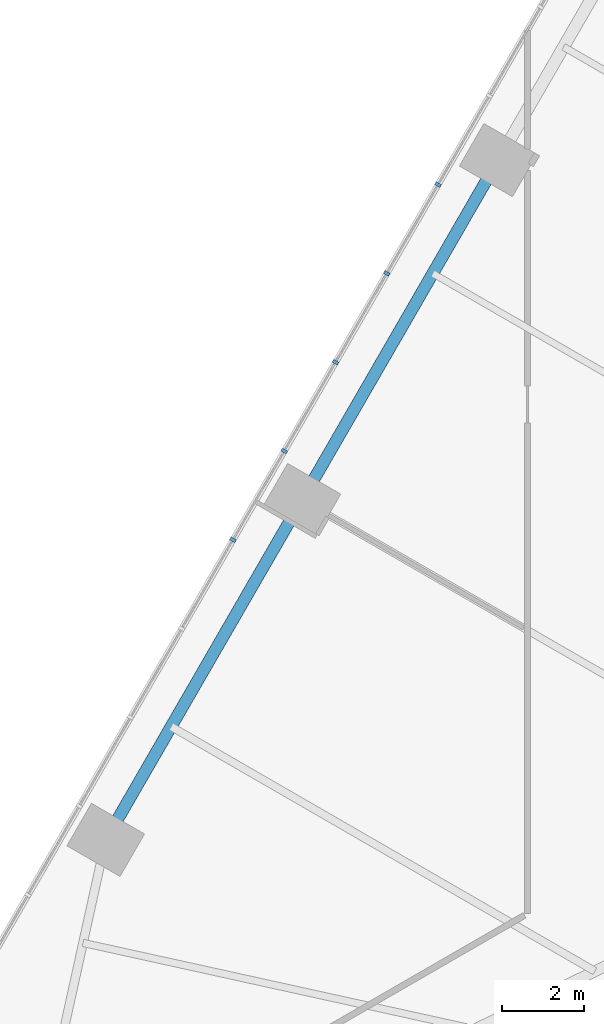
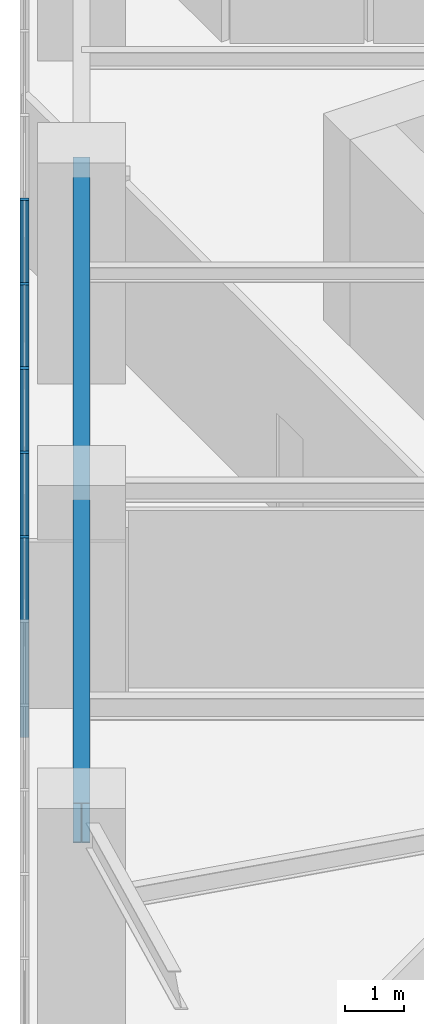
# One storey, part 3 of 23: 5 members, 1 beam, 1 element without a shape of its own.
"""IFC4 building model written with IfcOpenShell, lengths in metres."""

from ifc_helpers import new_model, si_unit, direction, frame, origin, origin_2d, place, context, subcontext, project, spatial, rectangle, i_section, extrude, material, layer, layer_set, material_profile, profile_set, type_object, element, aggregate, save


model = new_model("IFC4")

# Units and contexts
model_context = context("Model", 3, precision=1e-05, world=origin(), true_north=direction((0.0, 1.0)))
body_context = subcontext(model_context, "Body", "Model", "MODEL_VIEW")
ifc_project = project(units=[si_unit("LENGTHUNIT", "METRE"), si_unit("AREAUNIT", "SQUARE_METRE"), si_unit("VOLUMEUNIT", "CUBIC_METRE"), si_unit("PLANEANGLEUNIT", "RADIAN"), si_unit("MASSUNIT", "GRAM", prefix="KILO")], contexts=[model_context])

# Site, building, storey
site_placement = place(None, origin())
site = spatial("IfcSite", under=ifc_project, at=site_placement, CompositionType="ELEMENT")
building_placement = place(site_placement, origin())
building = spatial("IfcBuilding", under=site, at=building_placement, Name="Firuza Gate Tower and Library", CompositionType="ELEMENT")
storey_placement = place(building_placement, frame((0.0, 0.0, 21.800048828125)))
storey = spatial("IfcBuildingStorey", under=building, at=storey_placement, Name="L04", CompositionType="ELEMENT", Elevation=21.800048828125)

# Curtain wall, members
ifc_material_1 = material(Name="Aluminium 6063-T6", Category="aluminium")
ifc_layer = layer(ifc_material_1, 0.14990234375)
ifc_layer_set = layer_set([ifc_layer], Name="Stick curtain wall, podium")
curtain_wall_type = type_object("IfcCurtainWallType", Name="Stick curtain wall, podium", PredefinedType="NOTDEFINED", material=ifc_layer_set)
curtain_wall_placement = place(storey_placement, origin())
curtain_wall = element("IfcCurtainWall", 1, at=curtain_wall_placement, inside=storey, type_object=curtain_wall_type, Name="CW5 L04 W", PredefinedType="NOTDEFINED")
ifc_material_2 = material(Name="Aluminium 6063-T6", Category="aluminium")
ifc_material_profile_1 = material_profile(ifc_material_2, rectangle(XDim=0.14990234375, YDim=0.080078125, at=origin_2d()))
ifc_profile_set_1 = profile_set([ifc_material_profile_1], Name="Aluminium 6063-T6")
member_type = type_object("IfcMemberType", Name="Curtain wall mullion 80x150", PredefinedType="MULLION", material=ifc_profile_set_1)
member_1_placement = place(storey_placement, frame((56.30810546875, 84.34375, 0.14990234375), z_axis=(0.0, 0.0, 1.0), x_axis=(0.866025403784, -0.5, 0.0)))
member_1 = element("IfcMember", 2, at=member_1_placement, type_object=member_type, Name="Mullion", PredefinedType="MULLION", context=body_context, shape_type="SweptSolid", body=[
    extrude(rectangle(XDim=0.14990234375, YDim=0.080078125, at=origin_2d()), origin(), (0.0, 0.0, 1.0), 4.150146484375),
])
member_2_placement = place(storey_placement, frame((55.053955078125, 82.171630859375, 0.14990234375), z_axis=(0.0, 0.0, 1.0), x_axis=(0.866025403784, -0.5, 0.0)))
member_2 = element("IfcMember", 3, at=member_2_placement, type_object=member_type, Name="Mullion", PredefinedType="MULLION", context=body_context, shape_type="SweptSolid", body=[
    extrude(rectangle(XDim=0.14990234375, YDim=0.080078125, at=origin_2d()), origin(), (0.0, 0.0, 1.0), 4.150146484375),
])
member_3_placement = place(storey_placement, frame((53.7998046875, 79.99951171875, 0.14990234375), z_axis=(0.0, 0.0, 1.0), x_axis=(0.866025403784, -0.5, 0.0)))
member_3 = element("IfcMember", 4, at=member_3_placement, type_object=member_type, Name="Mullion", PredefinedType="MULLION", context=body_context, shape_type="SweptSolid", body=[
    extrude(rectangle(XDim=0.14990234375, YDim=0.080078125, at=origin_2d()), origin(), (0.0, 0.0, 1.0), 4.150146484375),
])
member_4_placement = place(storey_placement, frame((52.5458984375, 77.827392578125, 0.14990234375), z_axis=(0.0, 0.0, 1.0), x_axis=(0.866025403784, -0.5, 0.0)))
member_4 = element("IfcMember", 5, at=member_4_placement, type_object=member_type, Name="Mullion", PredefinedType="MULLION", context=body_context, shape_type="SweptSolid", body=[
    extrude(rectangle(XDim=0.14990234375, YDim=0.080078125, at=origin_2d()), origin(), (0.0, 0.0, 1.0), 4.150146484375),
])
member_5_placement = place(storey_placement, frame((51.291748046875, 75.655517578125, 0.14990234375), z_axis=(0.0, 0.0, 1.0), x_axis=(0.866025403784, -0.5, 0.0)))
member_5 = element("IfcMember", 6, at=member_5_placement, type_object=member_type, Name="Mullion", PredefinedType="MULLION", context=body_context, shape_type="SweptSolid", body=[
    extrude(rectangle(XDim=0.14990234375, YDim=0.080078125, at=origin_2d()), origin(), (0.0, 0.0, 1.0), 4.150146484375),
])
aggregate(curtain_wall, [member_1, member_2, member_3, member_4, member_5])

# Beam
ifc_material_3 = material(Name="Steel S355", Category="steel")
ifc_material_profile_2 = material_profile(ifc_material_3, i_section(OverallWidth=0.2919921875, OverallDepth=0.8349609375, WebThickness=0.013916015625, FlangeThickness=0.018798828125, at=origin_2d()))
ifc_profile_set_2 = profile_set([ifc_material_profile_2], Name="Steel S355")
beam_type = type_object("IfcBeamType", Name="W840x176 Edge beam", PredefinedType="SPANDREL", material=ifc_profile_set_2)
beam_placement = place(storey_placement, frame((57.779541015625, 84.9423828125, 3.882568359375), z_axis=(-0.500003864429, -0.866023172644, 0.0), x_axis=(0.866023172644, -0.500003864429, 0.0)))
element("IfcBeam", 7, at=beam_placement, inside=storey, type_object=beam_type, Name="Edge beam L04 e102", PredefinedType="SPANDREL", context=body_context, shape_type="SweptSolid", body=[
    extrude(i_section(OverallWidth=0.2919921875, OverallDepth=0.8349609375, WebThickness=0.013916015625, FlangeThickness=0.018798828125, at=origin_2d()), origin(), (0.0, 0.0, 1.0), 19.199951171875),
])

save(model, "model.ifc")
